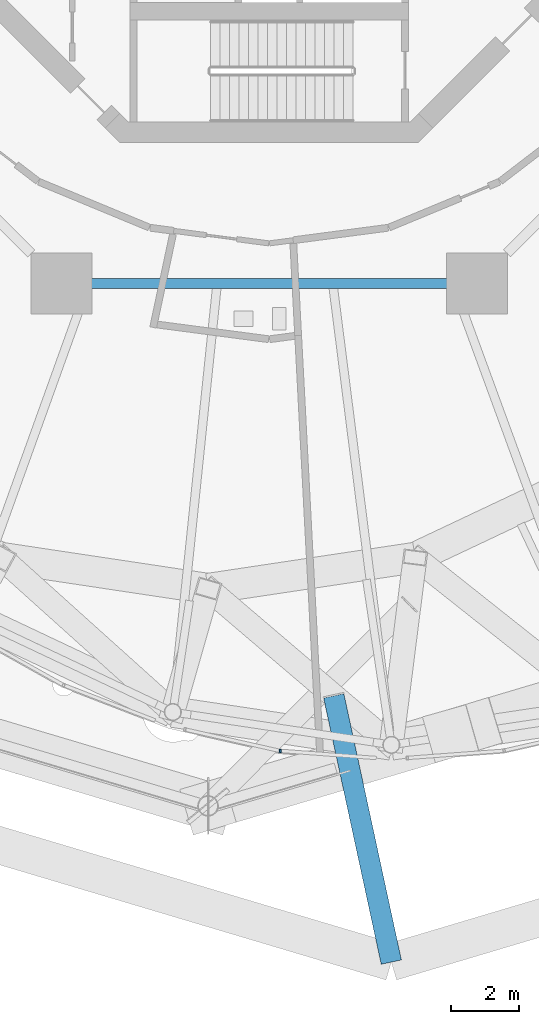
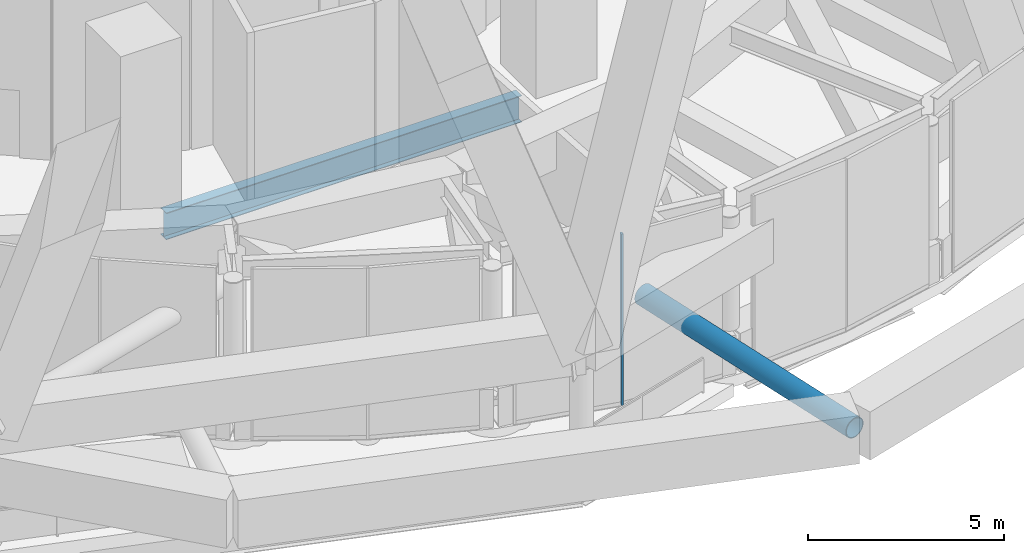
# One storey, part 12 of 60: 2 members, 1 beam, 1 element without a shape of its own.
"""IFC4 building model written with IfcOpenShell, lengths in metres."""

from ifc_helpers import new_model, si_unit, direction, frame, origin, origin_2d, place, context, subcontext, project, spatial, rectangle, hollow_circle, i_section, extrude, material, layer, layer_set, material_profile, profile_set, type_object, element, aggregate, save


model = new_model("IFC4")

# Units and contexts
model_context = context("Model", 3, precision=1e-05, world=origin(), true_north=direction((0.0, 1.0)))
body_context = subcontext(model_context, "Body", "Model", "MODEL_VIEW")
ifc_project = project(units=[si_unit("LENGTHUNIT", "METRE"), si_unit("AREAUNIT", "SQUARE_METRE"), si_unit("VOLUMEUNIT", "CUBIC_METRE"), si_unit("PLANEANGLEUNIT", "RADIAN"), si_unit("MASSUNIT", "GRAM", prefix="KILO")], contexts=[model_context])

# Site, building, storey
site_placement = place(None, origin())
site = spatial("IfcSite", under=ifc_project, at=site_placement, CompositionType="ELEMENT")
building_placement = place(site_placement, origin())
building = spatial("IfcBuilding", under=site, at=building_placement, Name="Nagisa Residences", CompositionType="ELEMENT")
storey_placement = place(building_placement, frame((0.0, 0.0, 206.60009765625)))
storey = spatial("IfcBuildingStorey", under=building, at=storey_placement, Name="L52", CompositionType="ELEMENT", Elevation=206.60009765625)

# Curtain wall, member
ifc_material_1 = material(Name="Aluminium curtain wall system", Category="aluminium")
ifc_layer = layer(ifc_material_1, 0.159912109375)
ifc_layer_set = layer_set([ifc_layer], Name="CW5 CURTAIN WALL")
curtain_wall_type = type_object("IfcCurtainWallType", Name="CW5 CURTAIN WALL", PredefinedType="NOTDEFINED", material=ifc_layer_set)
curtain_wall_placement = place(storey_placement, origin())
curtain_wall = element("IfcCurtainWall", 1, at=curtain_wall_placement, inside=storey, type_object=curtain_wall_type, Name="cw:CW5:L52:35", PredefinedType="NOTDEFINED")
ifc_material_2 = material(Name="Aluminium", Category="aluminium")
ifc_material_profile_1 = material_profile(ifc_material_2, rectangle(XDim=0.10009765625, YDim=0.06005859375, at=origin_2d()), Name="CW5 MULLION 100x60")
ifc_profile_set_1 = profile_set([ifc_material_profile_1], Name="Aluminium")
member_type_1 = type_object("IfcMemberType", Name="CW5 MULLION 100x60", PredefinedType="MULLION", material=ifc_profile_set_1)
member_1_placement = place(storey_placement, frame((0.32373046875, -28.550537109375, 0.0), z_axis=(0.0, 0.0, 1.0), x_axis=(0.074377355493, 0.997230168512, 0.0)))
member_1 = element("IfcMember", 2, at=member_1_placement, type_object=member_type_1, Name="CW5 mullion", PredefinedType="MULLION", context=body_context, shape_type="SweptSolid", body=[
    extrude(rectangle(XDim=0.10009765625, YDim=0.06005859375, at=origin_2d()), origin(), (0.0, 0.0, 1.0), 5.33984375),
])
aggregate(curtain_wall, [member_1])

# Member
ifc_material_3 = material(Name="Steel ASTM A572 Gr 65", Category="steel")
ifc_material_profile_2 = material_profile(ifc_material_3, hollow_circle(Radius=0.304931640625, WallThickness=0.02490234375, at=origin_2d()), Name="CHS 610x25")
ifc_profile_set_2 = profile_set([ifc_material_profile_2], Name="Steel ASTM A572 Gr 65")
member_type_2 = type_object("IfcMemberType", Name="Cage strut CHS 610x25", PredefinedType="STRUT", material=ifc_profile_set_2)
member_2_placement = place(storey_placement, frame((3.60009765625, -34.77490234375, 1.89990234375), z_axis=(-0.211277816249, 0.977426050584, 0.0), x_axis=(-0.977426050584, -0.211277816249, 0.0)))
element("IfcMember", 3, at=member_2_placement, inside=storey, type_object=member_type_2, Name="mem:L52:bt4st4a10", PredefinedType="STRUT", context=body_context, shape_type="SweptSolid", body=[
    extrude(hollow_circle(Radius=0.304931640625, WallThickness=0.02490234375, at=origin_2d()), origin(), (0.0, 0.0, 1.0), 8.0263671875),
])

# Beam
ifc_material_4 = material(Name="Steel ASTM A572 Gr 50", Category="steel")
ifc_material_profile_3 = material_profile(ifc_material_4, i_section(OverallWidth=0.2919921875, OverallDepth=0.8349609375, WebThickness=0.013916015625, FlangeThickness=0.018798828125, at=origin_2d()), Name="W840x176")
ifc_profile_set_3 = profile_set([ifc_material_profile_3], Name="Steel ASTM A572 Gr 50")
beam_type = type_object("IfcBeamType", Name="Inner ring beam W840x176", PredefinedType="BEAM", material=ifc_profile_set_3)
beam_placement = place(storey_placement, frame((-5.242919921875, -14.781982421875, -0.767578125), z_axis=(1.0, 0.0, 0.0), x_axis=(0.0, 1.0, 0.0)))
element("IfcBeam", 4, at=beam_placement, inside=storey, type_object=beam_type, Name="beam:L52:ib6", PredefinedType="BEAM", context=body_context, shape_type="SweptSolid", body=[
    extrude(i_section(OverallWidth=0.2919921875, OverallDepth=0.8349609375, WebThickness=0.013916015625, FlangeThickness=0.018798828125, at=origin_2d()), origin(), (0.0, 0.0, 1.0), 10.48583984375),
])

save(model, "model.ifc")
